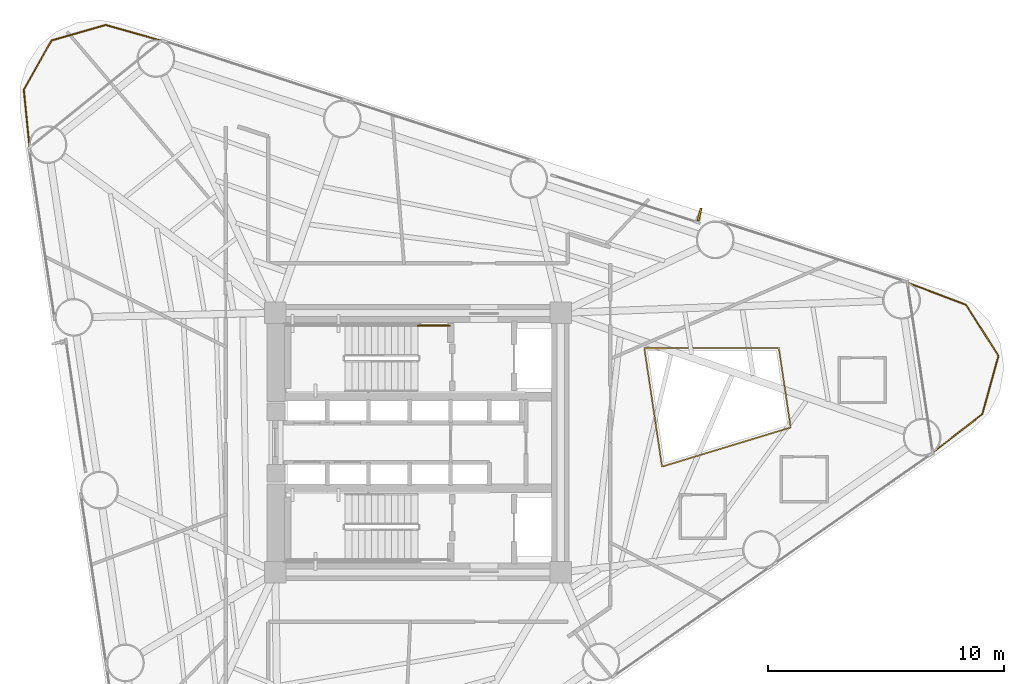
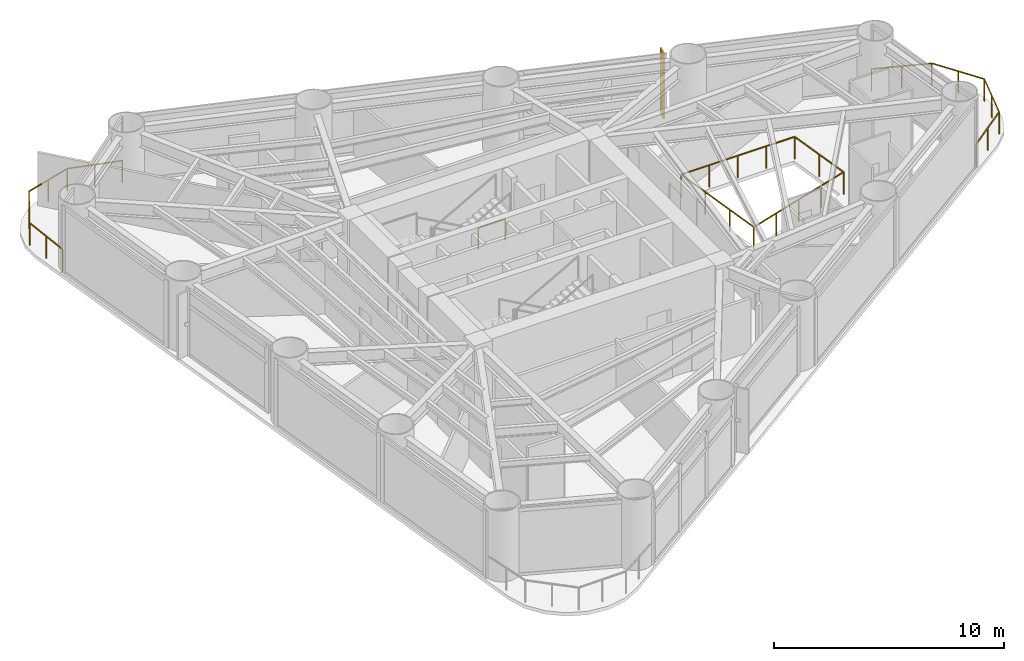
# One storey, part 9 of 9: 4 railings, 1 shading device.
"""IFC4 building model written with IfcOpenShell, lengths in metres."""

from ifc_helpers import new_model, si_unit, direction, frame, origin, origin_2d, place, context, subcontext, project, spatial, rectangle, extrude, source, transform, mapped, material, material_profile, profile_set, type_object, element, save


model = new_model("IFC4")

# Units and contexts
model_context = context("Model", 3, precision=1e-05, world=origin(), true_north=direction((0.0, 1.0)))
body_context = subcontext(model_context, "Body", "Model", "MODEL_VIEW")
ifc_project = project(units=[si_unit("LENGTHUNIT", "METRE"), si_unit("AREAUNIT", "SQUARE_METRE"), si_unit("VOLUMEUNIT", "CUBIC_METRE"), si_unit("PLANEANGLEUNIT", "RADIAN"), si_unit("MASSUNIT", "GRAM", prefix="KILO")], contexts=[model_context])

# Site, building, storey
site_placement = place(None, origin())
site = spatial("IfcSite", under=ifc_project, at=site_placement, CompositionType="ELEMENT")
building_placement = place(site_placement, origin())
building = spatial("IfcBuilding", under=site, at=building_placement, Name="Yunling Apex Tower", CompositionType="ELEMENT")
storey_placement = place(building_placement, frame((0.0, 0.0, 81.050048828125)))
storey = spatial("IfcBuildingStorey", under=building, at=storey_placement, Name="L21", CompositionType="ELEMENT", Elevation=81.050048828125)

# Railings
ifc_material_1 = material(Name="Bronze anodised aluminium", Category="aluminium")
railing_type_1 = type_object("IfcRailingType", Name="RL-BAL-1200", PredefinedType="BALUSTRADE", material=ifc_material_1)
railing_1_placement = place(storey_placement, frame((20.747314453125, 6.783935546875, 0.0)))
element("IfcRailing", 1, at=railing_1_placement, inside=storey, type_object=railing_type_1, Name="RL-CRNSILL-L21-1", PredefinedType="BALUSTRADE", context=body_context, shape_type="SweptSolid", body=[
    extrude(rectangle(XDim=0.0439453125, YDim=0.0439453125, at=origin_2d()), origin(), (0.0, 0.0, 1.0), 1.199951171875),
    extrude(rectangle(XDim=0.0439453125, YDim=0.0439453125, at=origin_2d()), frame((2.481689453125, -0.941650390625, 0.0)), (0.0, 0.0, 1.0), 1.199951171875),
    extrude(rectangle(XDim=0.050048828125, YDim=0.050048828125, at=origin_2d()), frame((0.035888671875, -0.013671875, 1.1748046875), z_axis=(0.934957554838, -0.354759595574, 0.0), x_axis=(0.354759595574, 0.934957554838, 0.0)), (0.0, 0.0, 1.0), 2.57763671875),
    extrude(rectangle(XDim=0.0439453125, YDim=0.0439453125, at=origin_2d()), frame((1.24072265625, -0.470703125, 0.0)), (0.0, 0.0, 1.0), 1.14599609375),
    extrude(rectangle(XDim=0.0439453125, YDim=0.0439453125, at=origin_2d()), frame((3.859375, -3.1064453125, 0.0)), (0.0, 0.0, 1.0), 1.199951171875),
    extrude(rectangle(XDim=0.050048828125, YDim=0.050048828125, at=origin_2d()), frame((2.502197265625, -0.973876953125, 1.1748046875), z_axis=(0.536900117586, -0.843645816523, 0.0), x_axis=(0.843645816523, 0.536900117586, 0.0)), (0.0, 0.0, 1.0), 2.4892578125),
    extrude(rectangle(XDim=0.0439453125, YDim=0.0439453125, at=origin_2d()), frame((3.17041015625, -2.02392578125, 0.0)), (0.0, 0.0, 1.0), 1.14599609375),
    extrude(rectangle(XDim=0.0439453125, YDim=0.0439453125, at=origin_2d()), frame((3.174560546875, -5.579345703125, 0.0)), (0.0, 0.0, 1.0), 1.199951171875),
    extrude(rectangle(XDim=0.050048828125, YDim=0.050048828125, at=origin_2d()), frame((3.84912109375, -3.143310546875, 1.1748046875), z_axis=(-0.26688316154, -0.963728892421, 0.0), x_axis=(0.963728892421, -0.26688316154, 0.0)), (0.0, 0.0, 1.0), 2.4892578125),
    extrude(rectangle(XDim=0.0439453125, YDim=0.0439453125, at=origin_2d()), frame((3.51708984375, -4.3427734375, 0.0)), (0.0, 0.0, 1.0), 1.14599609375),
    extrude(rectangle(XDim=0.0439453125, YDim=0.0439453125, at=origin_2d()), frame((1.07666015625, -7.20556640625, 0.0)), (0.0, 0.0, 1.0), 1.199951171875),
    extrude(rectangle(XDim=0.050048828125, YDim=0.050048828125, at=origin_2d()), frame((3.144287109375, -5.602783203125, 1.1748046875), z_axis=(-0.79035158758, -0.612653546476, 0.0), x_axis=(0.612653546476, -0.79035158758, 0.0)), (0.0, 0.0, 1.0), 2.57763671875),
    extrude(rectangle(XDim=0.0439453125, YDim=0.0439453125, at=origin_2d()), frame((2.12548828125, -6.392578125, 0.0)), (0.0, 0.0, 1.0), 1.14599609375),
])
railing_2_placement = place(storey_placement, frame((-16.470458984375, 12.5126953125, 0.0)))
element("IfcRailing", 2, at=railing_2_placement, inside=storey, type_object=railing_type_1, Name="RL-CRNSILL-L21-2", PredefinedType="BALUSTRADE", context=body_context, shape_type="SweptSolid", body=[
    extrude(rectangle(XDim=0.0439453125, YDim=0.0439453125, at=origin_2d()), origin(), (0.0, 0.0, 1.0), 1.199951171875),
    extrude(rectangle(XDim=0.0439453125, YDim=0.0439453125, at=origin_2d()), frame((-0.244140625, 2.449462890625, 0.0)), (0.0, 0.0, 1.0), 1.199951171875),
    extrude(rectangle(XDim=0.050048828125, YDim=0.050048828125, at=origin_2d()), frame((-0.00390625, 0.0380859375, 1.1748046875), z_axis=(-0.099179661385, 0.995069542679, 0.0), x_axis=(-0.995069542679, -0.099179661385, 0.0)), (0.0, 0.0, 1.0), 2.385009765625),
    extrude(rectangle(XDim=0.0439453125, YDim=0.0439453125, at=origin_2d()), frame((-0.1220703125, 1.224609375, 0.0)), (0.0, 0.0, 1.0), 1.14599609375),
    extrude(rectangle(XDim=0.0439453125, YDim=0.0439453125, at=origin_2d()), frame((0.935302734375, 4.534912109375, 0.0)), (0.0, 0.0, 1.0), 1.199951171875),
    extrude(rectangle(XDim=0.050048828125, YDim=0.050048828125, at=origin_2d()), frame((-0.225341796875, 2.48291015625, 1.1748046875), z_axis=(0.492282210089, 0.87043565278, 0.0), x_axis=(-0.87043565278, 0.492282210089, 0.0)), (0.0, 0.0, 1.0), 2.319091796875),
    extrude(rectangle(XDim=0.0439453125, YDim=0.0439453125, at=origin_2d()), frame((0.345703125, 3.4921875, 0.0)), (0.0, 0.0, 1.0), 1.14599609375),
    extrude(rectangle(XDim=0.0439453125, YDim=0.0439453125, at=origin_2d()), frame((3.231201171875, 5.19189453125, 0.0)), (0.0, 0.0, 1.0), 1.199951171875),
    extrude(rectangle(XDim=0.050048828125, YDim=0.050048828125, at=origin_2d()), frame((0.97216796875, 4.54541015625, 1.1748046875), z_axis=(0.961411988788, 0.275112682032, 0.0), x_axis=(-0.275112682032, 0.961411988788, 0.0)), (0.0, 0.0, 1.0), 2.311279296875),
    extrude(rectangle(XDim=0.0439453125, YDim=0.0439453125, at=origin_2d()), frame((2.083251953125, 4.86328125, 0.0)), (0.0, 0.0, 1.0), 1.14599609375),
    extrude(rectangle(XDim=0.0439453125, YDim=0.0439453125, at=origin_2d()), frame((5.60009765625, 4.52001953125, 0.0)), (0.0, 0.0, 1.0), 1.199951171875),
    extrude(rectangle(XDim=0.050048828125, YDim=0.050048828125, at=origin_2d()), frame((3.26806640625, 5.181396484375, 1.1748046875), z_axis=(0.962053444414, -0.272861082039, 0.0), x_axis=(0.272861082039, 0.962053444414, 0.0)), (0.0, 0.0, 1.0), 2.3857421875),
    extrude(rectangle(XDim=0.0439453125, YDim=0.0439453125, at=origin_2d()), frame((4.41552734375, 4.85595703125, 0.0)), (0.0, 0.0, 1.0), 1.14599609375),
])
railing_3_placement = place(storey_placement, frame((9.593994140625, 4.001220703125, 0.0)))
element("IfcRailing", 3, at=railing_3_placement, inside=storey, type_object=railing_type_1, Name="RL-TATR-L21", PredefinedType="BALUSTRADE", context=body_context, shape_type="SweptSolid", body=[
    extrude(rectangle(XDim=0.0439453125, YDim=0.0439453125, at=origin_2d()), origin(), (0.0, 0.0, 1.0), 1.199951171875),
    extrude(rectangle(XDim=0.0439453125, YDim=0.0439453125, at=origin_2d()), frame((5.70166015625, 0.007080078125, 0.0)), (0.0, 0.0, 1.0), 1.199951171875),
    extrude(rectangle(XDim=0.050048828125, YDim=0.050048828125, at=origin_2d()), frame((0.038330078125, 0.0, 1.1748046875), z_axis=(0.99999922902, 0.001241756343, 0.0), x_axis=(-0.001241756343, 0.99999922902, 0.0)), (0.0, 0.0, 1.0), 5.625),
    extrude(rectangle(XDim=0.0439453125, YDim=0.0439453125, at=origin_2d()), frame((1.42529296875, 0.001708984375, 0.0)), (0.0, 0.0, 1.0), 1.14599609375),
    extrude(rectangle(XDim=0.0439453125, YDim=0.0439453125, at=origin_2d()), frame((2.850830078125, 0.00341796875, 0.0)), (0.0, 0.0, 1.0), 1.14599609375),
    extrude(rectangle(XDim=0.0439453125, YDim=0.0439453125, at=origin_2d()), frame((4.2763671875, 0.00537109375, 0.0)), (0.0, 0.0, 1.0), 1.14599609375),
    extrude(rectangle(XDim=0.0439453125, YDim=0.0439453125, at=origin_2d()), frame((6.205078125, -3.362548828125, 0.0)), (0.0, 0.0, 1.0), 1.199951171875),
    extrude(rectangle(XDim=0.050048828125, YDim=0.050048828125, at=origin_2d()), frame((5.707275390625, -0.03076171875, 1.1748046875), z_axis=(0.147758753696, -0.98902343284, 0.0), x_axis=(0.98902343284, 0.147758753696, 0.0)), (0.0, 0.0, 1.0), 3.330322265625),
    extrude(rectangle(XDim=0.0439453125, YDim=0.0439453125, at=origin_2d()), frame((5.953369140625, -1.677734375, 0.0)), (0.0, 0.0, 1.0), 1.14599609375),
    extrude(rectangle(XDim=0.0439453125, YDim=0.0439453125, at=origin_2d()), frame((0.75048828125, -5.0224609375, 0.0)), (0.0, 0.0, 1.0), 1.199951171875),
    extrude(rectangle(XDim=0.050048828125, YDim=0.050048828125, at=origin_2d()), frame((6.16845703125, -3.373779296875, 1.1748046875), z_axis=(-0.956682695857, -0.291132649231, 0.0), x_axis=(0.291132649231, -0.956682695857, 0.0)), (0.0, 0.0, 1.0), 5.625),
    extrude(rectangle(XDim=0.0439453125, YDim=0.0439453125, at=origin_2d()), frame((4.84130859375, -3.777587890625, 0.0)), (0.0, 0.0, 1.0), 1.14599609375),
    extrude(rectangle(XDim=0.0439453125, YDim=0.0439453125, at=origin_2d()), frame((3.477783203125, -4.1923828125, 0.0)), (0.0, 0.0, 1.0), 1.14599609375),
    extrude(rectangle(XDim=0.0439453125, YDim=0.0439453125, at=origin_2d()), frame((2.1142578125, -4.607421875, 0.0)), (0.0, 0.0, 1.0), 1.14599609375),
    extrude(rectangle(XDim=0.050048828125, YDim=0.050048828125, at=origin_2d()), frame((0.744873046875, -4.984619140625, 1.1748046875), z_axis=(-0.147785616119, 0.989019419257, 0.0), x_axis=(-0.989019419257, -0.147785616119, 0.0)), (0.0, 0.0, 1.0), 5.00146484375),
    extrude(rectangle(XDim=0.0439453125, YDim=0.0439453125, at=origin_2d()), frame((0.500244140625, -3.348388671875, 0.0)), (0.0, 0.0, 1.0), 1.14599609375),
    extrude(rectangle(XDim=0.0439453125, YDim=0.0439453125, at=origin_2d()), frame((0.250244140625, -1.674072265625, 0.0)), (0.0, 0.0, 1.0), 1.14599609375),
])
ifc_material_2 = material(Name="Steel Q355B", Category="steel")
railing_type_2 = type_object("IfcRailingType", Name="RL-GRD-1150", PredefinedType="GUARDRAIL", material=ifc_material_2)
railing_4_placement = place(storey_placement, frame((1.35009765625, 4.9599609375, 0.0)))
element("IfcRailing", 4, at=railing_4_placement, inside=storey, type_object=railing_type_2, Name="L21 ST-1 stair guard 6", PredefinedType="GUARDRAIL", context=body_context, shape_type="SweptSolid", body=[
    extrude(rectangle(XDim=0.0439453125, YDim=0.0439453125, at=origin_2d()), origin(), (0.0, 0.0, 1.0), 1.14990234375),
    extrude(rectangle(XDim=0.0439453125, YDim=0.0439453125, at=origin_2d()), frame((-1.360107421875, 0.0, 0.0)), (0.0, 0.0, 1.0), 1.14990234375),
    extrude(rectangle(XDim=0.050048828125, YDim=0.050048828125, at=origin_2d()), frame((-0.038330078125, 0.0, 1.125), z_axis=(-1.0, 0.0, 0.0), x_axis=(0.0, -1.0, 0.0)), (0.0, 0.0, 1.0), 1.283447265625),
])

# Shading device
ifc_material_profile = material_profile(ifc_material_1, rectangle(XDim=0.0849609375, YDim=0.550048828125, at=origin_2d()))
ifc_profile_set = profile_set([ifc_material_profile], Name="Bronze anodised aluminium")
shading_device_type = type_object("IfcShadingDeviceType", Name="FN-BRZ-3", PredefinedType="USERDEFINED", material=ifc_profile_set)
shared_shape = source(origin(), body_context, "Body", "SweptSolid", [
    extrude(rectangle(XDim=0.0849609375, YDim=0.550048828125, at=origin_2d()), origin(), (0.0, 0.0, 1.0), 3.409912109375),
])
shading_device_placement = place(storey_placement, frame((11.934814453125, 9.666748046875, 0.06005859375), z_axis=(0.0, 0.0, 1.0), x_axis=(-0.969402520914, 0.245476582274, 0.0)))
element("IfcShadingDevice", 5, at=shading_device_placement, inside=storey, type_object=shading_device_type, Name="CW-L21-F2-B2-FIN-01", ObjectType="FIN", PredefinedType="USERDEFINED", context=body_context, shape_type="MappedRepresentation", body=[
    mapped(shared_shape, transform((0.0, 0.0, 0.0), scale=1.0)),
])

save(model, "model.ifc")
